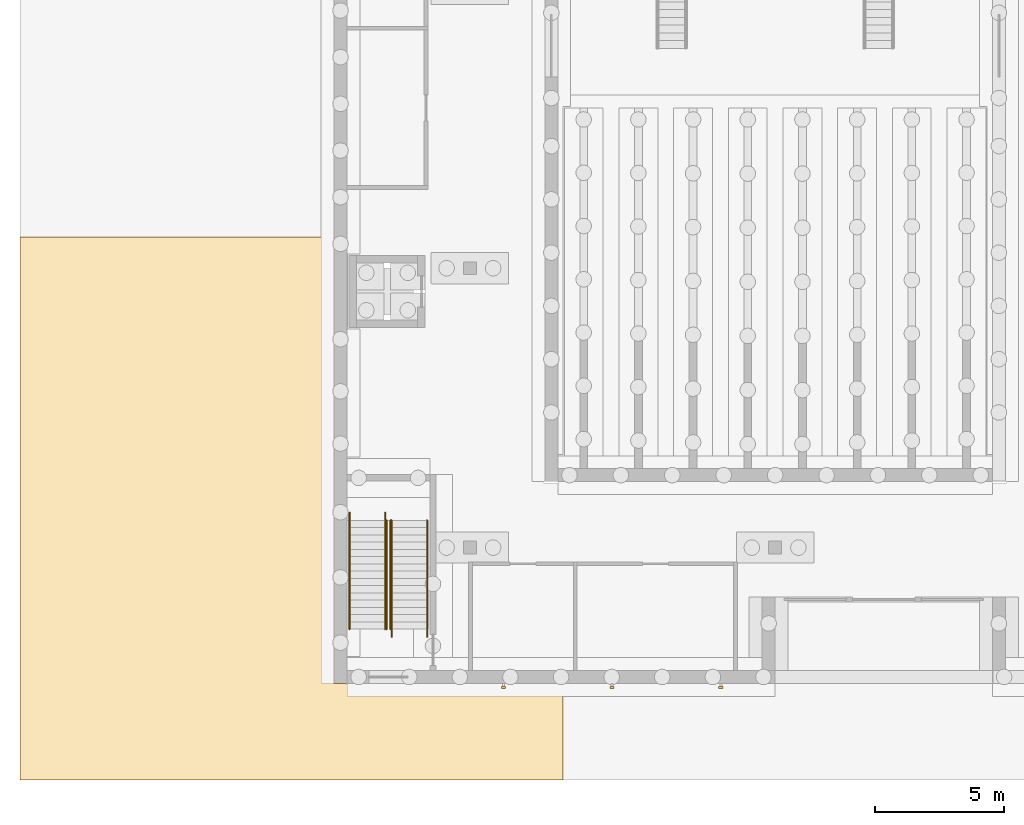
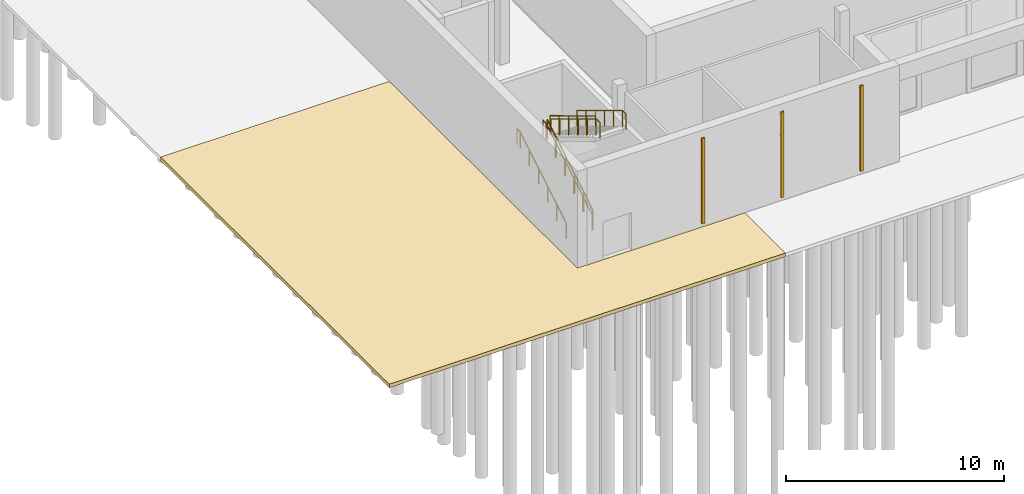
# One storey, part 94 of 127: 6 railings, 3 shading devices, 1 covering.
"""IFC4 building model written with IfcOpenShell, lengths in metres."""

from ifc_helpers import new_model, si_unit, direction, frame, origin, origin_2d, place, context, subcontext, project, spatial, polyline, rectangle, circle, outline, extrude, material, layer, layer_set, type_object, element, save


model = new_model("IFC4")

# Units and contexts
model_context = context("Model", 3, precision=1e-05, world=origin(), true_north=direction((0.0, 1.0)))
body_context = subcontext(model_context, "Body", "Model", "MODEL_VIEW")
ifc_project = project(units=[si_unit("LENGTHUNIT", "METRE"), si_unit("AREAUNIT", "SQUARE_METRE"), si_unit("VOLUMEUNIT", "CUBIC_METRE"), si_unit("PLANEANGLEUNIT", "RADIAN"), si_unit("MASSUNIT", "GRAM", prefix="KILO")], contexts=[model_context])

# Site, building, storey
site_placement = place(None, origin())
site = spatial("IfcSite", under=ifc_project, at=site_placement, CompositionType="ELEMENT")
building_placement = place(site_placement, origin())
building = spatial("IfcBuilding", under=site, at=building_placement, Name="Ljudholm Concert House", CompositionType="ELEMENT")
storey_placement = place(building_placement, origin())
storey = spatial("IfcBuildingStorey", under=building, at=storey_placement, Name="L00", CompositionType="ELEMENT", Elevation=0.0)

# Shading devices
ifc_material_1 = material(Name="Aluminium extrusion with timber-grain PVDF finish", Category="aluminium")
shading_device_type = type_object("IfcShadingDeviceType", Name="FACADE FIN 80x160", PredefinedType="SHUTTER", material=ifc_material_1)
for number, where, z_axis, x_axis, name in (
    (1, (18.699951171875, 3.590087890625, 0.2998046875), (0.0, 0.0, 1.0), (0.0, -1.0, 0.0), "Facade fin"),
    (2, (22.89990234375, 3.590087890625, 0.2998046875), (0.0, 0.0, 1.0), (0.0, -1.0, 0.0), "Facade fin"),
    (3, (27.10009765625, 3.590087890625, 0.2998046875), (0.0, 0.0, 1.0), (0.0, -1.0, 0.0), "Facade fin"),
):
    element("IfcShadingDevice", number, at=place(storey_placement, frame(where, z_axis=z_axis, x_axis=x_axis)), inside=storey, type_object=shading_device_type, Name=name, PredefinedType="SHUTTER", context=body_context, shape_type="SweptSolid", body=[
        extrude(rectangle(XDim=0.080078125, YDim=0.159912109375, at=origin_2d()), origin(), (0.0, 0.0, 1.0), 4.800048828125),
    ])

# Railings
ifc_material_2 = material(Name="Steel ASTM A36", Category="steel")
railing_type_1 = type_object("IfcRailingType", Name="GUARD 1100", PredefinedType="GUARDRAIL", material=ifc_material_2)
railing_1_placement = place(storey_placement, frame((14.175048828125, 5.85009765625, 0.168701171875)))
element("IfcRailing", 4, at=railing_1_placement, inside=storey, type_object=railing_type_1, Name="Guard", PredefinedType="GUARDRAIL", context=body_context, shape_type="SweptSolid", body=[
    extrude(circle(Radius=0.02490234375, at=origin_2d()), frame((0.0, 0.0, 1.0751953125), z_axis=(0.0, 0.856392657067, 0.516325107778), x_axis=(-1.0, 0.0, 0.0)), (0.0, 0.0, 1.0), 0.980712890625),
    extrude(circle(Radius=0.02490234375, at=origin_2d()), frame((0.0, 0.83984375, 1.58154296875), z_axis=(0.0, 0.856569041035, 0.516032438845), x_axis=(-1.0, 0.0, 0.0)), (0.0, 0.0, 1.0), 0.980712890625),
    extrude(circle(Radius=0.02490234375, at=origin_2d()), frame((0.0, 1.679931640625, 2.08740234375), z_axis=(0.0, 0.856459004192, 0.516215046409), x_axis=(-1.0, 0.0, 0.0)), (0.0, 0.0, 1.0), 0.98095703125),
    extrude(circle(Radius=0.02490234375, at=origin_2d()), frame((0.0, 2.52001953125, 2.59375), z_axis=(0.0, 0.856392657067, 0.516325107778), x_axis=(-1.0, 0.0, 0.0)), (0.0, 0.0, 1.0), 0.980712890625),
    extrude(circle(Radius=0.02490234375, at=origin_2d()), frame((0.0, 3.35986328125, 3.10009765625), z_axis=(0.0, 0.856569041035, 0.516032438845), x_axis=(-1.0, 0.0, 0.0)), (0.0, 0.0, 1.0), 0.980712890625),
    extrude(circle(Radius=0.02099609375, at=origin_2d()), origin(), (0.0, 0.0, 1.0), 1.050048828125),
    extrude(circle(Radius=0.02099609375, at=origin_2d()), frame((0.0, 0.83984375, 0.50634765625)), (0.0, 0.0, 1.0), 1.050048828125),
    extrude(circle(Radius=0.02099609375, at=origin_2d()), frame((0.0, 1.679931640625, 1.012451171875)), (0.0, 0.0, 1.0), 1.050048828125),
    extrude(circle(Radius=0.02099609375, at=origin_2d()), frame((0.0, 2.52001953125, 1.518798828125)), (0.0, 0.0, 1.0), 1.050048828125),
    extrude(circle(Radius=0.02099609375, at=origin_2d()), frame((0.0, 3.35986328125, 2.025146484375)), (0.0, 0.0, 1.0), 1.050048828125),
    extrude(circle(Radius=0.02099609375, at=origin_2d()), frame((0.0, 4.199951171875, 2.53125)), (0.0, 0.0, 1.0), 1.050048828125),
])
railing_2_placement = place(storey_placement, frame((14.324951171875, 10.050048828125, 2.86865234375)))
element("IfcRailing", 5, at=railing_2_placement, inside=storey, type_object=railing_type_1, Name="Guard", PredefinedType="GUARDRAIL", context=body_context, shape_type="SweptSolid", body=[
    extrude(circle(Radius=0.02490234375, at=origin_2d()), frame((0.0, 0.0, 1.0751953125), z_axis=(0.0, -0.856459004192, 0.516215046409), x_axis=(1.0, 0.0, 0.0)), (0.0, 0.0, 1.0), 0.98095703125),
    extrude(circle(Radius=0.02490234375, at=origin_2d()), frame((0.0, -0.840087890625, 1.58154296875), z_axis=(0.0, -0.856392657067, 0.516325107778), x_axis=(1.0, 0.0, 0.0)), (0.0, 0.0, 1.0), 0.980712890625),
    extrude(circle(Radius=0.02490234375, at=origin_2d()), frame((0.0, -1.679931640625, 2.087890625), z_axis=(0.0, -0.856569041035, 0.516032438845), x_axis=(1.0, 0.0, 0.0)), (0.0, 0.0, 1.0), 0.980712890625),
    extrude(circle(Radius=0.02490234375, at=origin_2d()), frame((0.0, -2.52001953125, 2.59375), z_axis=(0.0, -0.856459004192, 0.516215046409), x_axis=(1.0, 0.0, 0.0)), (0.0, 0.0, 1.0), 0.98095703125),
    extrude(circle(Radius=0.02490234375, at=origin_2d()), frame((0.0, -3.360107421875, 3.10009765625), z_axis=(0.0, -0.856502732318, 0.516142489563), x_axis=(1.0, 0.0, 0.0)), (0.0, 0.0, 1.0), 0.98046875),
    extrude(circle(Radius=0.02099609375, at=origin_2d()), origin(), (0.0, 0.0, 1.0), 1.050048828125),
    extrude(circle(Radius=0.02099609375, at=origin_2d()), frame((0.0, -0.840087890625, 0.50634765625)), (0.0, 0.0, 1.0), 1.050048828125),
    extrude(circle(Radius=0.02099609375, at=origin_2d()), frame((0.0, -1.679931640625, 1.0126953125)), (0.0, 0.0, 1.0), 1.050048828125),
    extrude(circle(Radius=0.02099609375, at=origin_2d()), frame((0.0, -2.52001953125, 1.518798828125)), (0.0, 0.0, 1.0), 1.050048828125),
    extrude(circle(Radius=0.02099609375, at=origin_2d()), frame((0.0, -3.360107421875, 2.025146484375)), (0.0, 0.0, 1.0), 1.050048828125),
    extrude(circle(Radius=0.02099609375, at=origin_2d()), frame((0.0, -4.199951171875, 2.53125)), (0.0, 0.0, 1.0), 1.050048828125),
])
ifc_material_3 = material(Name="Steel ASTM A36", Category="steel")
railing_type_2 = type_object("IfcRailingType", Name="HANDRAIL 900", PredefinedType="HANDRAIL", material=ifc_material_3)
railing_3_placement = place(storey_placement, frame((12.75, 5.85009765625, 0.168701171875)))
element("IfcRailing", 6, at=railing_3_placement, inside=storey, type_object=railing_type_2, Name="Handrail", PredefinedType="HANDRAIL", context=body_context, shape_type="SweptSolid", body=[
    extrude(circle(Radius=0.0224609375, at=origin_2d()), frame((0.0, 0.0, 0.87744140625), z_axis=(0.0, 0.856392657067, 0.516325107778), x_axis=(-1.0, 0.0, 0.0)), (0.0, 0.0, 1.0), 0.980712890625),
    extrude(circle(Radius=0.0224609375, at=origin_2d()), frame((0.0, 0.83984375, 1.3837890625), z_axis=(0.0, 0.856569041035, 0.516032438845), x_axis=(-1.0, 0.0, 0.0)), (0.0, 0.0, 1.0), 0.980712890625),
    extrude(circle(Radius=0.0224609375, at=origin_2d()), frame((0.0, 1.679931640625, 1.889892578125), z_axis=(0.0, 0.856459004192, 0.516215046409), x_axis=(-1.0, 0.0, 0.0)), (0.0, 0.0, 1.0), 0.98095703125),
    extrude(circle(Radius=0.0224609375, at=origin_2d()), frame((0.0, 2.52001953125, 2.396240234375), z_axis=(0.0, 0.856392657067, 0.516325107778), x_axis=(-1.0, 0.0, 0.0)), (0.0, 0.0, 1.0), 0.980712890625),
    extrude(circle(Radius=0.0224609375, at=origin_2d()), frame((0.0, 3.35986328125, 2.902587890625), z_axis=(0.0, 0.856569041035, 0.516032438845), x_axis=(-1.0, 0.0, 0.0)), (0.0, 0.0, 1.0), 0.980712890625),
    extrude(circle(Radius=0.0224609375, at=origin_2d()), frame((0.0, 4.199951171875, 3.40869140625), z_axis=(0.0, 1.0, 0.0), x_axis=(-1.0, 0.0, 0.0)), (0.0, 0.0, 1.0), 0.300048828125),
    extrude(circle(Radius=0.02099609375, at=origin_2d()), origin(), (0.0, 0.0, 1.0), 0.85498046875),
    extrude(circle(Radius=0.02099609375, at=origin_2d()), frame((0.0, 0.83984375, 0.50634765625)), (0.0, 0.0, 1.0), 0.85498046875),
    extrude(circle(Radius=0.02099609375, at=origin_2d()), frame((0.0, 1.679931640625, 1.012451171875)), (0.0, 0.0, 1.0), 0.85498046875),
    extrude(circle(Radius=0.02099609375, at=origin_2d()), frame((0.0, 2.52001953125, 1.518798828125)), (0.0, 0.0, 1.0), 0.85498046875),
    extrude(circle(Radius=0.02099609375, at=origin_2d()), frame((0.0, 3.35986328125, 2.025146484375)), (0.0, 0.0, 1.0), 0.85498046875),
    extrude(circle(Radius=0.02099609375, at=origin_2d()), frame((0.0, 4.199951171875, 2.53125)), (0.0, 0.0, 1.0), 0.85498046875),
    extrude(circle(Radius=0.02099609375, at=origin_2d()), frame((0.0, 4.5, 2.53125)), (0.0, 0.0, 1.0), 0.85498046875),
])
railing_4_placement = place(storey_placement, frame((14.125, 5.85009765625, 0.168701171875)))
element("IfcRailing", 7, at=railing_4_placement, inside=storey, type_object=railing_type_2, Name="Handrail", PredefinedType="HANDRAIL", context=body_context, shape_type="SweptSolid", body=[
    extrude(circle(Radius=0.0224609375, at=origin_2d()), frame((0.0, 0.0, 0.87744140625), z_axis=(0.0, 0.856392657067, 0.516325107778), x_axis=(-1.0, 0.0, 0.0)), (0.0, 0.0, 1.0), 0.980712890625),
    extrude(circle(Radius=0.0224609375, at=origin_2d()), frame((0.0, 0.83984375, 1.3837890625), z_axis=(0.0, 0.856569041035, 0.516032438845), x_axis=(-1.0, 0.0, 0.0)), (0.0, 0.0, 1.0), 0.980712890625),
    extrude(circle(Radius=0.0224609375, at=origin_2d()), frame((0.0, 1.679931640625, 1.889892578125), z_axis=(0.0, 0.856459004192, 0.516215046409), x_axis=(-1.0, 0.0, 0.0)), (0.0, 0.0, 1.0), 0.98095703125),
    extrude(circle(Radius=0.0224609375, at=origin_2d()), frame((0.0, 2.52001953125, 2.396240234375), z_axis=(0.0, 0.856392657067, 0.516325107778), x_axis=(-1.0, 0.0, 0.0)), (0.0, 0.0, 1.0), 0.980712890625),
    extrude(circle(Radius=0.0224609375, at=origin_2d()), frame((0.0, 3.35986328125, 2.902587890625), z_axis=(0.0, 0.856569041035, 0.516032438845), x_axis=(-1.0, 0.0, 0.0)), (0.0, 0.0, 1.0), 0.980712890625),
    extrude(circle(Radius=0.0224609375, at=origin_2d()), frame((0.0, 4.199951171875, 3.40869140625), z_axis=(0.0, 1.0, 0.0), x_axis=(-1.0, 0.0, 0.0)), (0.0, 0.0, 1.0), 0.300048828125),
    extrude(circle(Radius=0.02099609375, at=origin_2d()), origin(), (0.0, 0.0, 1.0), 0.85498046875),
    extrude(circle(Radius=0.02099609375, at=origin_2d()), frame((0.0, 0.83984375, 0.50634765625)), (0.0, 0.0, 1.0), 0.85498046875),
    extrude(circle(Radius=0.02099609375, at=origin_2d()), frame((0.0, 1.679931640625, 1.012451171875)), (0.0, 0.0, 1.0), 0.85498046875),
    extrude(circle(Radius=0.02099609375, at=origin_2d()), frame((0.0, 2.52001953125, 1.518798828125)), (0.0, 0.0, 1.0), 0.85498046875),
    extrude(circle(Radius=0.02099609375, at=origin_2d()), frame((0.0, 3.35986328125, 2.025146484375)), (0.0, 0.0, 1.0), 0.85498046875),
    extrude(circle(Radius=0.02099609375, at=origin_2d()), frame((0.0, 4.199951171875, 2.53125)), (0.0, 0.0, 1.0), 0.85498046875),
    extrude(circle(Radius=0.02099609375, at=origin_2d()), frame((0.0, 4.5, 2.53125)), (0.0, 0.0, 1.0), 0.85498046875),
])
railing_5_placement = place(storey_placement, frame((15.75, 10.050048828125, 2.86865234375)))
element("IfcRailing", 8, at=railing_5_placement, inside=storey, type_object=railing_type_2, Name="Handrail", PredefinedType="HANDRAIL", context=body_context, shape_type="SweptSolid", body=[
    extrude(circle(Radius=0.0224609375, at=origin_2d()), frame((0.0, 0.0, 0.87744140625), z_axis=(0.0, -0.856459004192, 0.516215046409), x_axis=(1.0, 0.0, 0.0)), (0.0, 0.0, 1.0), 0.98095703125),
    extrude(circle(Radius=0.0224609375, at=origin_2d()), frame((0.0, -0.840087890625, 1.3837890625), z_axis=(0.0, -0.856392657067, 0.516325107778), x_axis=(1.0, 0.0, 0.0)), (0.0, 0.0, 1.0), 0.980712890625),
    extrude(circle(Radius=0.0224609375, at=origin_2d()), frame((0.0, -1.679931640625, 1.89013671875), z_axis=(0.0, -0.856569041035, 0.516032438845), x_axis=(1.0, 0.0, 0.0)), (0.0, 0.0, 1.0), 0.980712890625),
    extrude(circle(Radius=0.0224609375, at=origin_2d()), frame((0.0, -2.52001953125, 2.396240234375), z_axis=(0.0, -0.856459004192, 0.516215046409), x_axis=(1.0, 0.0, 0.0)), (0.0, 0.0, 1.0), 0.98095703125),
    extrude(circle(Radius=0.0224609375, at=origin_2d()), frame((0.0, -3.360107421875, 2.902587890625), z_axis=(0.0, -0.856502732318, 0.516142489563), x_axis=(1.0, 0.0, 0.0)), (0.0, 0.0, 1.0), 0.98046875),
    extrude(circle(Radius=0.0224609375, at=origin_2d()), frame((0.0, -4.199951171875, 3.40869140625), z_axis=(0.0, -1.0, 0.0), x_axis=(1.0, 0.0, 0.0)), (0.0, 0.0, 1.0), 0.300048828125),
    extrude(circle(Radius=0.02099609375, at=origin_2d()), origin(), (0.0, 0.0, 1.0), 0.85498046875),
    extrude(circle(Radius=0.02099609375, at=origin_2d()), frame((0.0, -0.840087890625, 0.50634765625)), (0.0, 0.0, 1.0), 0.85498046875),
    extrude(circle(Radius=0.02099609375, at=origin_2d()), frame((0.0, -1.679931640625, 1.0126953125)), (0.0, 0.0, 1.0), 0.85498046875),
    extrude(circle(Radius=0.02099609375, at=origin_2d()), frame((0.0, -2.52001953125, 1.518798828125)), (0.0, 0.0, 1.0), 0.85498046875),
    extrude(circle(Radius=0.02099609375, at=origin_2d()), frame((0.0, -3.360107421875, 2.025146484375)), (0.0, 0.0, 1.0), 0.85498046875),
    extrude(circle(Radius=0.02099609375, at=origin_2d()), frame((0.0, -4.199951171875, 2.53125)), (0.0, 0.0, 1.0), 0.85498046875),
    extrude(circle(Radius=0.02099609375, at=origin_2d()), frame((0.0, -4.5, 2.53125)), (0.0, 0.0, 1.0), 0.85498046875),
])
railing_6_placement = place(storey_placement, frame((14.375, 10.050048828125, 2.86865234375)))
element("IfcRailing", 9, at=railing_6_placement, inside=storey, type_object=railing_type_2, Name="Handrail", PredefinedType="HANDRAIL", context=body_context, shape_type="SweptSolid", body=[
    extrude(circle(Radius=0.0224609375, at=origin_2d()), frame((0.0, 0.0, 0.87744140625), z_axis=(0.0, -0.856459004192, 0.516215046409), x_axis=(1.0, 0.0, 0.0)), (0.0, 0.0, 1.0), 0.98095703125),
    extrude(circle(Radius=0.0224609375, at=origin_2d()), frame((0.0, -0.840087890625, 1.3837890625), z_axis=(0.0, -0.856392657067, 0.516325107778), x_axis=(1.0, 0.0, 0.0)), (0.0, 0.0, 1.0), 0.980712890625),
    extrude(circle(Radius=0.0224609375, at=origin_2d()), frame((0.0, -1.679931640625, 1.89013671875), z_axis=(0.0, -0.856569041035, 0.516032438845), x_axis=(1.0, 0.0, 0.0)), (0.0, 0.0, 1.0), 0.980712890625),
    extrude(circle(Radius=0.0224609375, at=origin_2d()), frame((0.0, -2.52001953125, 2.396240234375), z_axis=(0.0, -0.856459004192, 0.516215046409), x_axis=(1.0, 0.0, 0.0)), (0.0, 0.0, 1.0), 0.98095703125),
    extrude(circle(Radius=0.0224609375, at=origin_2d()), frame((0.0, -3.360107421875, 2.902587890625), z_axis=(0.0, -0.856502732318, 0.516142489563), x_axis=(1.0, 0.0, 0.0)), (0.0, 0.0, 1.0), 0.98046875),
    extrude(circle(Radius=0.0224609375, at=origin_2d()), frame((0.0, -4.199951171875, 3.40869140625), z_axis=(0.0, -1.0, 0.0), x_axis=(1.0, 0.0, 0.0)), (0.0, 0.0, 1.0), 0.300048828125),
    extrude(circle(Radius=0.02099609375, at=origin_2d()), origin(), (0.0, 0.0, 1.0), 0.85498046875),
    extrude(circle(Radius=0.02099609375, at=origin_2d()), frame((0.0, -0.840087890625, 0.50634765625)), (0.0, 0.0, 1.0), 0.85498046875),
    extrude(circle(Radius=0.02099609375, at=origin_2d()), frame((0.0, -1.679931640625, 1.0126953125)), (0.0, 0.0, 1.0), 0.85498046875),
    extrude(circle(Radius=0.02099609375, at=origin_2d()), frame((0.0, -2.52001953125, 1.518798828125)), (0.0, 0.0, 1.0), 0.85498046875),
    extrude(circle(Radius=0.02099609375, at=origin_2d()), frame((0.0, -3.360107421875, 2.025146484375)), (0.0, 0.0, 1.0), 0.85498046875),
    extrude(circle(Radius=0.02099609375, at=origin_2d()), frame((0.0, -4.199951171875, 2.53125)), (0.0, 0.0, 1.0), 0.85498046875),
    extrude(circle(Radius=0.02099609375, at=origin_2d()), frame((0.0, -4.5, 2.53125)), (0.0, 0.0, 1.0), 0.85498046875),
])

# Covering
ifc_material_4 = material(Name="Precast concrete pavers on compacted sand bed", Category="concrete")
ifc_layer = layer(ifc_material_4, 0.199951171875)
ifc_layer_set = layer_set([ifc_layer], Name="Precast concrete pavers on compacted sand bed")
covering_type = type_object("IfcCoveringType", Name="PRECAST CONCRETE PAVERS ON COMPACTED SAND BED PAVING 200", PredefinedType="USERDEFINED", material=ifc_layer_set)
covering_placement = place(storey_placement, frame((0.0, 0.0, -0.199951171875)))
element("IfcCovering", 10, at=covering_placement, inside=storey, type_object=covering_type, Name="Paving", ObjectType="PAVING", PredefinedType="USERDEFINED", context=body_context, shape_type="SweptSolid", body=[
    extrude(outline(polyline([(0.010009765625, 0.010009765625), (0.010009765625, 21.0), (12.1298828125, 21.0), (12.1298828125, 3.77001953125), (12.131591796875, 3.762451171875), (12.138916015625, 3.75341796875), (12.14990234375, 3.75), (12.6298828125, 3.75), (12.631591796875, 3.742431640625), (12.6357421875, 3.73583984375), (12.642333984375, 3.7314453125), (12.64990234375, 3.72998046875), (21.0, 3.72998046875), (21.0, 0.010009765625), (0.010009765625, 0.010009765625)])), origin(), (0.0, 0.0, 1.0), 0.199951171875),
])

save(model, "model.ifc")
